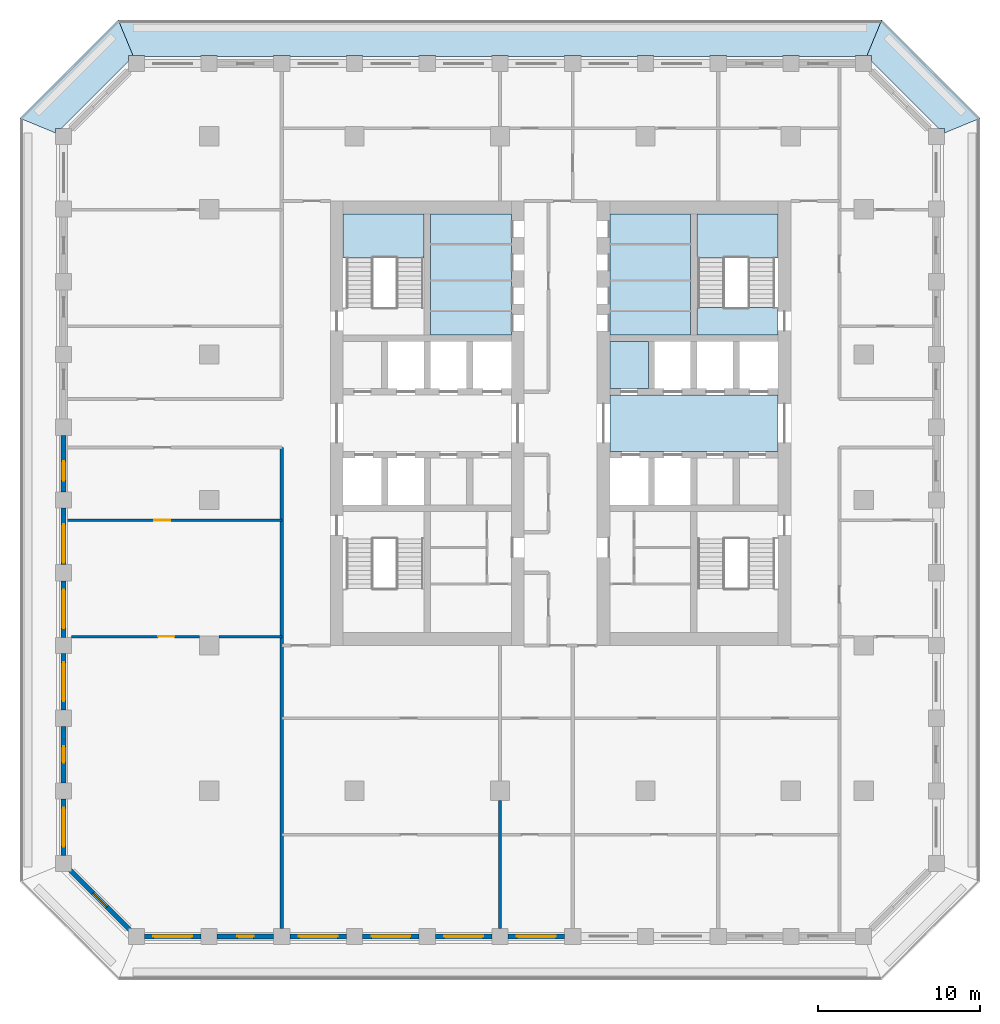
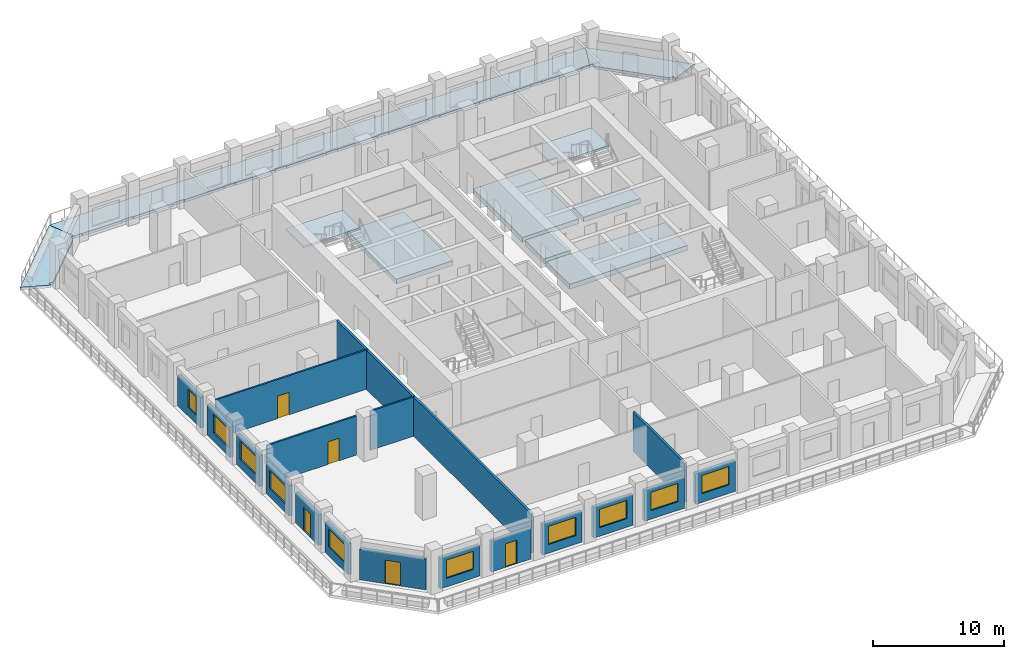
# One storey, part 2 of 16: 18 walls, 10 slabs, 10 windows, 5 doors, 15 openings, 2 elements without a shape of their own.
"""IFC4 building model written with IfcOpenShell, lengths in metres."""

from ifc_helpers import new_model, si_unit, direction, frame, frame_2d, origin, place, context, subcontext, project, spatial, polyline, rectangle, outline, extrude, material, layer, layer_set, type_object, element, fill, aggregate, save


model = new_model("IFC4")

# Units and contexts
model_context = context("Model", 3, precision=1e-05, world=origin(), true_north=direction((0.0, 1.0)))
body_context = subcontext(model_context, "Body", "Model", "MODEL_VIEW")
ifc_project = project(units=[si_unit("LENGTHUNIT", "METRE"), si_unit("AREAUNIT", "SQUARE_METRE"), si_unit("VOLUMEUNIT", "CUBIC_METRE"), si_unit("PLANEANGLEUNIT", "RADIAN"), si_unit("MASSUNIT", "GRAM", prefix="KILO")], contexts=[model_context])

# Site, building, storey
site_placement = place(None, origin())
site = spatial("IfcSite", under=ifc_project, at=site_placement, CompositionType="ELEMENT")
building_placement = place(site_placement, origin())
building = spatial("IfcBuilding", under=site, at=building_placement, Name="Corbel Stack Research Tower", CompositionType="ELEMENT")
storey_placement = place(building_placement, frame((0.0, 0.0, 160.89990234375)))
storey = spatial("IfcBuildingStorey", under=building, at=storey_placement, Name="L36", CompositionType="ELEMENT", Elevation=160.89990234375)

# Slabs
ifc_material_1 = material(Name="Concrete C45/55", Category="concrete")
ifc_layer_1 = layer(ifc_material_1, 0.25)
ifc_layer_set_1 = layer_set([ifc_layer_1], Name="Concrete C45/55")
slab_type_1 = type_object("IfcSlabType", Name="PT balcony slab 250 C45/55", PredefinedType="FLOOR", material=ifc_layer_set_1)
slab_1_placement = place(storey_placement, frame((0.0, 0.0, -0.25)))
element("IfcSlab", 1, at=slab_1_placement, inside=storey, type_object=slab_type_1, Name="Loggia slab L36 NE", PredefinedType="FLOOR", context=body_context, shape_type="SweptSolid", body=[
    extrude(outline(polyline([(22.70703125, 27.5), (23.0, 27.5), (23.0, 27.136474609375), (27.136474609375, 23.0), (27.5, 23.0), (27.5, 22.70703125), (29.699951171875, 23.618408203125), (23.618408203125, 29.699951171875), (22.70703125, 27.5)])), origin(), (0.0, 0.0, 1.0), 0.25),
])
slab_2_placement = place(storey_placement, frame((0.0, 0.0, -0.25)))
element("IfcSlab", 2, at=slab_2_placement, inside=storey, type_object=slab_type_1, Name="Loggia slab L36 N", PredefinedType="FLOOR", context=body_context, shape_type="SweptSolid", body=[
    extrude(outline(polyline([(-22.70703125, 27.5), (-22.0, 27.5), (-22.0, 27.449951171875), (-18.5, 27.449951171875), (-18.5, 27.5), (-17.5, 27.5), (-17.5, 27.449951171875), (-14.0, 27.449951171875), (-14.0, 27.5), (-13.0, 27.5), (-13.0, 27.449951171875), (-9.5, 27.449951171875), (-9.5, 27.5), (-8.5, 27.5), (-8.5, 27.449951171875), (-5.0, 27.449951171875), (-5.0, 27.5), (-4.0, 27.5), (-4.0, 27.449951171875), (-0.5, 27.449951171875), (-0.5, 27.5), (0.5, 27.5), (0.5, 27.449951171875), (4.0, 27.449951171875), (4.0, 27.5), (5.0, 27.5), (5.0, 27.449951171875), (8.5, 27.449951171875), (8.5, 27.5), (9.5, 27.5), (9.5, 27.449951171875), (13.0, 27.449951171875), (13.0, 27.5), (14.0, 27.5), (14.0, 27.449951171875), (17.5, 27.449951171875), (17.5, 27.5), (18.5, 27.5), (18.5, 27.449951171875), (22.0, 27.449951171875), (22.0, 27.5), (22.70703125, 27.5), (23.618408203125, 29.699951171875), (-23.618408203125, 29.699951171875), (-22.70703125, 27.5)])), origin(), (0.0, 0.0, 1.0), 0.25),
])
slab_3_placement = place(storey_placement, frame((0.0, 0.0, -0.25)))
element("IfcSlab", 3, at=slab_3_placement, inside=storey, type_object=slab_type_1, Name="Loggia slab L36 NW", PredefinedType="FLOOR", context=body_context, shape_type="SweptSolid", body=[
    extrude(outline(polyline([(-27.5, 22.70703125), (-27.5, 23.0), (-27.136474609375, 23.0), (-23.0, 27.136474609375), (-23.0, 27.5), (-22.70703125, 27.5), (-23.618408203125, 29.699951171875), (-29.699951171875, 23.618408203125), (-27.5, 22.70703125)])), origin(), (0.0, 0.0, 1.0), 0.25),
])
ifc_material_2 = material(Name="Concrete C45/55", Category="concrete")
ifc_layer_2 = layer(ifc_material_2, 0.449951171875)
ifc_layer_set_2 = layer_set([ifc_layer_2], Name="Concrete C45/55")
slab_type_2 = type_object("IfcSlabType", Name="PT-450", PredefinedType="FLOOR", material=ifc_layer_set_2)
slab_4_placement = place(storey_placement, frame((0.0, 0.0, -0.449951171875)))
element("IfcSlab", 4, at=slab_4_placement, inside=storey, type_object=slab_type_2, Name="West core floor L36", PredefinedType="FLOOR", context=body_context, shape_type="SweptSolid", body=[
    extrude(outline(polyline([(0.699951171875, 17.699951171875), (-4.300048828125, 17.699951171875), (-4.300048828125, 10.199951171875), (0.699951171875, 10.199951171875), (0.699951171875, 17.699951171875)])), origin(), (0.0, 0.0, 1.0), 0.449951171875),
])
slab_5_placement = place(storey_placement, frame((0.0, 0.0, -0.449951171875)))
element("IfcSlab", 5, at=slab_5_placement, inside=storey, type_object=slab_type_2, Name="East core floor L36", PredefinedType="FLOOR", context=body_context, shape_type="SweptSolid", body=[
    extrude(outline(polyline([(17.199951171875, 6.5), (6.800048828125, 6.5), (6.800048828125, 3.0), (17.199951171875, 3.0), (17.199951171875, 6.5)])), origin(), (0.0, 0.0, 1.0), 0.449951171875),
])
slab_6_placement = place(storey_placement, frame((0.0, 0.0, -0.449951171875)))
element("IfcSlab", 6, at=slab_6_placement, inside=storey, type_object=slab_type_2, Name="East core floor L36", PredefinedType="FLOOR", context=body_context, shape_type="SweptSolid", body=[
    extrude(outline(polyline([(6.800048828125, 6.89990234375), (9.175048828125, 6.89990234375), (9.175048828125, 9.800048828125), (6.800048828125, 9.800048828125), (6.800048828125, 6.89990234375)])), origin(), (0.0, 0.0, 1.0), 0.449951171875),
])
slab_7_placement = place(storey_placement, frame((0.0, 0.0, -0.449951171875)))
element("IfcSlab", 7, at=slab_7_placement, inside=storey, type_object=slab_type_2, Name="East core floor L36", PredefinedType="FLOOR", context=body_context, shape_type="SweptSolid", body=[
    extrude(outline(polyline([(6.800048828125, 17.699951171875), (6.800048828125, 10.199951171875), (11.800048828125, 10.199951171875), (11.800048828125, 17.699951171875), (6.800048828125, 17.699951171875)])), origin(), (0.0, 0.0, 1.0), 0.449951171875),
])
slab_8_placement = place(storey_placement, frame((0.0, 0.0, -0.449951171875)))
element("IfcSlab", 8, at=slab_8_placement, inside=storey, type_object=slab_type_2, Name="Stair floor landing ST-E2", PredefinedType="FLOOR", context=body_context, shape_type="SweptSolid", body=[
    extrude(outline(polyline([(12.199951171875, 10.199951171875), (17.199951171875, 10.199951171875), (17.199951171875, 11.89990234375), (12.199951171875, 11.89990234375), (12.199951171875, 10.199951171875)])), origin(), (0.0, 0.0, 1.0), 0.449951171875),
])

# Stair, slab
ifc_material_3 = material(Name="Concrete C40/50", Category="concrete")
stair_type = type_object("IfcStairType", Name="Exit stair 24 risers", PredefinedType="HALF_TURN_STAIR", material=ifc_material_3)
stair_1_placement = place(storey_placement, origin())
stair_1 = element("IfcStair", 9, at=stair_1_placement, inside=storey, type_object=stair_type, Name="L36 Exit stair ST-W2", PredefinedType="HALF_TURN_STAIR")
ifc_material_4 = material(Name="Concrete C40/50", Category="concrete")
ifc_layer_3 = layer(ifc_material_4, 0.199951171875)
ifc_layer_set_3 = layer_set([ifc_layer_3], Name="Concrete C40/50")
slab_type_3 = type_object("IfcSlabType", Name="Stair landing 200 C40/50", PredefinedType="LANDING", material=ifc_layer_set_3)
slab_9_placement = place(storey_placement, frame((0.0, 0.0, 1.85009765625)))
slab_9 = element("IfcSlab", 10, at=slab_9_placement, type_object=slab_type_3, Name="ST-W2 landing 1", PredefinedType="LANDING", context=body_context, shape_type="SweptSolid", body=[
    extrude(outline(polyline([(-9.699951171875, 14.97998046875), (-9.699951171875, 17.699951171875), (-4.699951171875, 17.699951171875), (-4.699951171875, 14.97998046875), (-9.699951171875, 14.97998046875)])), origin(), (0.0, 0.0, 1.0), 0.199951171875),
])
aggregate(stair_1, [slab_9])

stair_2_placement = place(storey_placement, origin())
stair_2 = element("IfcStair", 11, at=stair_2_placement, inside=storey, type_object=stair_type, Name="L36 Exit stair ST-E2", PredefinedType="HALF_TURN_STAIR")
slab_10_placement = place(storey_placement, frame((0.0, 0.0, 1.85009765625)))
slab_10 = element("IfcSlab", 12, at=slab_10_placement, type_object=slab_type_3, Name="ST-E2 landing 1", PredefinedType="LANDING", context=body_context, shape_type="SweptSolid", body=[
    extrude(outline(polyline([(12.199951171875, 14.97998046875), (12.199951171875, 17.699951171875), (17.199951171875, 17.699951171875), (17.199951171875, 14.97998046875), (12.199951171875, 14.97998046875)])), origin(), (0.0, 0.0, 1.0), 0.199951171875),
])
aggregate(stair_2, [slab_10])

# Walls
ifc_material_5 = material(Name="Fire-rated gypsum board partition on steel studs", Category="steel")
ifc_layer_4 = layer(ifc_material_5, 0.199951171875)
ifc_layer_set_4 = layer_set([ifc_layer_4], Name="Fire-rated gypsum board partition on steel studs")
wall_type_1 = type_object("IfcWallType", Name="Fire-rated partition 200 EI 60", PredefinedType="PARTITIONING", material=ifc_layer_set_4)
wall_1_placement = place(storey_placement, frame((-13.5, -26.5, 0.0), z_axis=(0.0, 0.0, 1.0), x_axis=(0.0, 1.0, 0.0)))
element("IfcWall", 13, at=wall_1_placement, inside=storey, type_object=wall_type_1, Name="Partition L36-001", PredefinedType="PARTITIONING", context=body_context, shape_type="SweptSolid", body=[
    extrude(rectangle(XDim=29.75, YDim=0.199951171875, at=frame_2d((14.875, 0.0))), origin(), (0.0, 0.0, 1.0), 3.650146484375),
])
wall_2_placement = place(storey_placement, frame((0.0, -26.5, 0.0), z_axis=(0.0, 0.0, 1.0), x_axis=(0.0, 1.0, 0.0)))
element("IfcWall", 14, at=wall_2_placement, inside=storey, type_object=wall_type_1, Name="Partition L36-003", PredefinedType="PARTITIONING", context=body_context, shape_type="SweptSolid", body=[
    extrude(rectangle(XDim=7.89990234375, YDim=0.199951171875, at=frame_2d((3.949951171875, 0.0))), origin(), (0.0, 0.0, 1.0), 3.650146484375),
])

# Wall, opening, door
ifc_material_6 = material(Name="Gypsum board partition on steel studs", Category="steel")
ifc_layer_5 = layer(ifc_material_6, 0.14990234375)
ifc_layer_set_5 = layer_set([ifc_layer_5], Name="Gypsum board partition on steel studs")
wall_type_2 = type_object("IfcWallType", Name="Partition 150", PredefinedType="PARTITIONING", material=ifc_layer_set_5)
wall_3_placement = place(storey_placement, frame((-18.60009765625, -8.449951171875, 0.0), z_axis=(0.0, 0.0, 1.0), x_axis=(-1.0, 0.0, 0.0)))
wall_3 = element("IfcWall", 15, at=wall_3_placement, inside=storey, type_object=wall_type_2, Name="Partition L36-021", PredefinedType="PARTITIONING", context=body_context, shape_type="SweptSolid", body=[
    extrude(rectangle(XDim=7.89990234375, YDim=0.14990234375, at=frame_2d((3.949951171875, 0.0))), origin(), (0.0, 0.0, 1.0), 3.650146484375),
])
opening_1_placement = place(wall_3_placement, frame((1.550048828125, 0.0, 0.0)))
opening_1 = element("IfcOpeningElement", 16, at=opening_1_placement, cuts=wall_3, Name="Opening B5V0-013", PredefinedType="OPENING", context=body_context, shape_type="SweptSolid", body=[
    extrude(rectangle(XDim=1.0, YDim=2.10009765625, at=frame_2d((0.5, 1.050048828125))), frame((0.0, 0.0849609375, 0.0), z_axis=(0.0, -1.0, 0.0), x_axis=(1.0, 0.0, 0.0)), (0.0, 0.0, 1.0), 0.169921875),
])
ifc_material_7 = material(Name="Painted timber door", Category="wood")
door_type_1 = type_object("IfcDoorType", Name="Single door 1000 x 2100", OperationType="NOTDEFINED", PredefinedType="DOOR", material=ifc_material_7)
door_1_placement = place(opening_1_placement, origin())
door_1 = element("IfcDoor", 17, at=door_1_placement, inside=storey, type_object=door_type_1, Name="Door B5V0-013", OperationType="SINGLE_SWING_LEFT", OverallHeight=2.10009765625, OverallWidth=1.0, PredefinedType="DOOR", context=body_context, shape_type="SweptSolid", body=[
    extrude(rectangle(XDim=1.0, YDim=2.10009765625, at=frame_2d((0.5, 1.050048828125))), frame((0.0, 0.02490234375, 0.0), z_axis=(0.0, -1.0, 0.0), x_axis=(1.0, 0.0, 0.0)), (0.0, 0.0, 1.0), 0.050048828125),
])
fill(opening_1, door_1)

# Wall
wall_4_placement = place(storey_placement, frame((-17.39990234375, -8.449951171875, 0.0), z_axis=(0.0, 0.0, 1.0), x_axis=(1.0, 0.0, 0.0)))
element("IfcWall", 18, at=wall_4_placement, inside=storey, type_object=wall_type_2, Name="Partition L36-022", PredefinedType="PARTITIONING", context=body_context, shape_type="SweptSolid", body=[
    extrude(rectangle(XDim=3.89990234375, YDim=0.14990234375, at=frame_2d((1.949951171875, 0.0))), origin(), (0.0, 0.0, 1.0), 3.650146484375),
])

# Wall, opening, door
wall_5_placement = place(storey_placement, frame((-13.5, -1.25, 0.0), z_axis=(0.0, 0.0, 1.0), x_axis=(-1.0, 0.0, 0.0)))
wall_5 = element("IfcWall", 19, at=wall_5_placement, inside=storey, type_object=wall_type_2, Name="Partition L36-027", PredefinedType="PARTITIONING", context=body_context, shape_type="SweptSolid", body=[
    extrude(rectangle(XDim=13.35009765625, YDim=0.14990234375, at=frame_2d((6.675048828125, 0.0))), origin(), (0.0, 0.0, 1.0), 3.650146484375),
])
opening_2_placement = place(wall_5_placement, frame((6.89990234375, 0.0, 0.0)))
opening_2 = element("IfcOpeningElement", 20, at=opening_2_placement, cuts=wall_5, Name="Opening B5V0-015", PredefinedType="OPENING", context=body_context, shape_type="SweptSolid", body=[
    extrude(rectangle(XDim=1.0, YDim=2.10009765625, at=frame_2d((0.5, 1.050048828125))), frame((0.0, 0.0849609375, 0.0), z_axis=(0.0, -1.0, 0.0), x_axis=(1.0, 0.0, 0.0)), (0.0, 0.0, 1.0), 0.169921875),
])
door_2_placement = place(opening_2_placement, origin())
door_2 = element("IfcDoor", 21, at=door_2_placement, inside=storey, type_object=door_type_1, Name="Door B5V0-015", OperationType="SINGLE_SWING_RIGHT", OverallHeight=2.10009765625, OverallWidth=1.0, PredefinedType="DOOR", context=body_context, shape_type="SweptSolid", body=[
    extrude(rectangle(XDim=1.0, YDim=2.10009765625, at=frame_2d((0.5, 1.050048828125))), frame((0.0, 0.02490234375, 0.0), z_axis=(0.0, -1.0, 0.0), x_axis=(1.0, 0.0, 0.0)), (0.0, 0.0, 1.0), 0.050048828125),
])
fill(opening_2, door_2)

# Wall, opening, window
ifc_material_8 = material(Name="Concrete C45/55", Category="concrete")
ifc_layer_6 = layer(ifc_material_8, 0.300048828125)
ifc_layer_set_6 = layer_set([ifc_layer_6], Name="Concrete C45/55")
wall_type_3 = type_object("IfcWallType", Name="Terracotta-faced concrete wall 300", PredefinedType="SOLIDWALL", material=ifc_layer_set_6)
wall_6_placement = place(storey_placement, frame((-18.5, -27.0, 0.0), z_axis=(0.0, 0.0, 1.0), x_axis=(-1.0, 0.0, 0.0)))
wall_6 = element("IfcWall", 22, at=wall_6_placement, inside=storey, type_object=wall_type_3, Name="Facade wall L36 S01", PredefinedType="SOLIDWALL", context=body_context, shape_type="SweptSolid", body=[
    extrude(rectangle(XDim=3.5, YDim=0.300048828125, at=frame_2d((1.75, 0.0))), origin(), (0.0, 0.0, 1.0), 2.85009765625),
])
opening_3_placement = place(wall_6_placement, frame((0.550048828125, 0.0, 0.800048828125)))
opening_3 = element("IfcOpeningElement", 23, at=opening_3_placement, cuts=wall_6, Name="Opening W1", PredefinedType="OPENING", context=body_context, shape_type="SweptSolid", body=[
    extrude(rectangle(XDim=2.39990234375, YDim=1.699951171875, at=frame_2d((1.199951171875, 0.85009765625))), frame((0.0, 0.159912109375, 0.0), z_axis=(0.0, -1.0, 0.0), x_axis=(1.0, 0.0, 0.0)), (0.0, 0.0, 1.0), 0.320068359375),
])
ifc_material_9 = material(Name="Aluminium frame, clear double glazing", Category="aluminium")
window_type_1 = type_object("IfcWindowType", Name="Window W1 2400 x 1700", PartitioningType="SINGLE_PANEL", PredefinedType="WINDOW", material=ifc_material_9)
window_1_placement = place(opening_3_placement, origin())
window_1 = element("IfcWindow", 24, at=window_1_placement, inside=storey, type_object=window_type_1, Name="Window W1 L36 S01", OverallHeight=1.699951171875, OverallWidth=2.39990234375, PartitioningType="SINGLE_PANEL", PredefinedType="WINDOW", context=body_context, shape_type="SweptSolid", body=[
    extrude(rectangle(XDim=2.39990234375, YDim=1.699951171875, at=frame_2d((1.199951171875, 0.85009765625))), frame((0.0, 0.030029296875, 0.0), z_axis=(0.0, -1.0, 0.0), x_axis=(1.0, 0.0, 0.0)), (0.0, 0.0, 1.0), 0.06005859375),
])
fill(opening_3, window_1)

# Wall, opening, door
wall_7_placement = place(storey_placement, frame((-14.0, -27.0, 0.0), z_axis=(0.0, 0.0, 1.0), x_axis=(-1.0, 0.0, 0.0)))
wall_7 = element("IfcWall", 25, at=wall_7_placement, inside=storey, type_object=wall_type_3, Name="Facade wall L36 S02", PredefinedType="SOLIDWALL", context=body_context, shape_type="SweptSolid", body=[
    extrude(rectangle(XDim=3.5, YDim=0.300048828125, at=frame_2d((1.75, 0.0))), origin(), (0.0, 0.0, 1.0), 2.85009765625),
])
opening_4_placement = place(wall_7_placement, frame((1.25, 0.0, 0.0)))
opening_4 = element("IfcOpeningElement", 26, at=opening_4_placement, cuts=wall_7, Name="Opening L36-B01", PredefinedType="OPENING", context=body_context, shape_type="SweptSolid", body=[
    extrude(rectangle(XDim=1.0, YDim=2.199951171875, at=frame_2d((0.5, 1.10009765625))), frame((0.0, 0.159912109375, 0.0), z_axis=(0.0, -1.0, 0.0), x_axis=(1.0, 0.0, 0.0)), (0.0, 0.0, 1.0), 0.320068359375),
])
ifc_material_10 = material(Name="Aluminium frame, clear double glazing", Category="aluminium")
door_type_2 = type_object("IfcDoorType", Name="Balcony door BD1 1000 x 2200", OperationType="NOTDEFINED", PredefinedType="DOOR", material=ifc_material_10)
door_3_placement = place(opening_4_placement, origin())
door_3 = element("IfcDoor", 27, at=door_3_placement, inside=storey, type_object=door_type_2, Name="Balcony door L36-B01", OperationType="SINGLE_SWING_RIGHT", OverallHeight=2.199951171875, OverallWidth=1.0, PredefinedType="DOOR", context=body_context, shape_type="SweptSolid", body=[
    extrude(rectangle(XDim=1.0, YDim=2.199951171875, at=frame_2d((0.5, 1.10009765625))), frame((0.0, 0.02490234375, 0.0), z_axis=(0.0, -1.0, 0.0), x_axis=(1.0, 0.0, 0.0)), (0.0, 0.0, 1.0), 0.050048828125),
])
fill(opening_4, door_3)

# Wall, opening, window
wall_8_placement = place(storey_placement, frame((-9.5, -27.0, 0.0), z_axis=(0.0, 0.0, 1.0), x_axis=(-1.0, 0.0, 0.0)))
wall_8 = element("IfcWall", 28, at=wall_8_placement, inside=storey, type_object=wall_type_3, Name="Facade wall L36 S03", PredefinedType="SOLIDWALL", context=body_context, shape_type="SweptSolid", body=[
    extrude(rectangle(XDim=3.5, YDim=0.300048828125, at=frame_2d((1.75, 0.0))), origin(), (0.0, 0.0, 1.0), 2.85009765625),
])
opening_5_placement = place(wall_8_placement, frame((0.550048828125, 0.0, 0.800048828125)))
opening_5 = element("IfcOpeningElement", 29, at=opening_5_placement, cuts=wall_8, Name="Opening W1", PredefinedType="OPENING", context=body_context, shape_type="SweptSolid", body=[
    extrude(rectangle(XDim=2.39990234375, YDim=1.699951171875, at=frame_2d((1.199951171875, 0.85009765625))), frame((0.0, 0.159912109375, 0.0), z_axis=(0.0, -1.0, 0.0), x_axis=(1.0, 0.0, 0.0)), (0.0, 0.0, 1.0), 0.320068359375),
])
window_2_placement = place(opening_5_placement, origin())
window_2 = element("IfcWindow", 30, at=window_2_placement, inside=storey, type_object=window_type_1, Name="Window W1 L36 S03", OverallHeight=1.699951171875, OverallWidth=2.39990234375, PartitioningType="SINGLE_PANEL", PredefinedType="WINDOW", context=body_context, shape_type="SweptSolid", body=[
    extrude(rectangle(XDim=2.39990234375, YDim=1.699951171875, at=frame_2d((1.199951171875, 0.85009765625))), frame((0.0, 0.030029296875, 0.0), z_axis=(0.0, -1.0, 0.0), x_axis=(1.0, 0.0, 0.0)), (0.0, 0.0, 1.0), 0.06005859375),
])
fill(opening_5, window_2)

wall_9_placement = place(storey_placement, frame((-5.0, -27.0, 0.0), z_axis=(0.0, 0.0, 1.0), x_axis=(-1.0, 0.0, 0.0)))
wall_9 = element("IfcWall", 31, at=wall_9_placement, inside=storey, type_object=wall_type_3, Name="Facade wall L36 S04", PredefinedType="SOLIDWALL", context=body_context, shape_type="SweptSolid", body=[
    extrude(rectangle(XDim=3.5, YDim=0.300048828125, at=frame_2d((1.75, 0.0))), origin(), (0.0, 0.0, 1.0), 2.85009765625),
])
opening_6_placement = place(wall_9_placement, frame((0.550048828125, 0.0, 0.800048828125)))
opening_6 = element("IfcOpeningElement", 32, at=opening_6_placement, cuts=wall_9, Name="Opening W1", PredefinedType="OPENING", context=body_context, shape_type="SweptSolid", body=[
    extrude(rectangle(XDim=2.39990234375, YDim=1.699951171875, at=frame_2d((1.199951171875, 0.85009765625))), frame((0.0, 0.159912109375, 0.0), z_axis=(0.0, -1.0, 0.0), x_axis=(1.0, 0.0, 0.0)), (0.0, 0.0, 1.0), 0.320068359375),
])
window_3_placement = place(opening_6_placement, origin())
window_3 = element("IfcWindow", 33, at=window_3_placement, inside=storey, type_object=window_type_1, Name="Window W1 L36 S04", OverallHeight=1.699951171875, OverallWidth=2.39990234375, PartitioningType="SINGLE_PANEL", PredefinedType="WINDOW", context=body_context, shape_type="SweptSolid", body=[
    extrude(rectangle(XDim=2.39990234375, YDim=1.699951171875, at=frame_2d((1.199951171875, 0.85009765625))), frame((0.0, 0.030029296875, 0.0), z_axis=(0.0, -1.0, 0.0), x_axis=(1.0, 0.0, 0.0)), (0.0, 0.0, 1.0), 0.06005859375),
])
fill(opening_6, window_3)

wall_10_placement = place(storey_placement, frame((-0.5, -27.0, 0.0), z_axis=(0.0, 0.0, 1.0), x_axis=(-1.0, 0.0, 0.0)))
wall_10 = element("IfcWall", 34, at=wall_10_placement, inside=storey, type_object=wall_type_3, Name="Facade wall L36 S05", PredefinedType="SOLIDWALL", context=body_context, shape_type="SweptSolid", body=[
    extrude(rectangle(XDim=3.5, YDim=0.300048828125, at=frame_2d((1.75, 0.0))), origin(), (0.0, 0.0, 1.0), 2.85009765625),
])
opening_7_placement = place(wall_10_placement, frame((0.550048828125, 0.0, 0.800048828125)))
opening_7 = element("IfcOpeningElement", 35, at=opening_7_placement, cuts=wall_10, Name="Opening W1", PredefinedType="OPENING", context=body_context, shape_type="SweptSolid", body=[
    extrude(rectangle(XDim=2.39990234375, YDim=1.699951171875, at=frame_2d((1.199951171875, 0.85009765625))), frame((0.0, 0.159912109375, 0.0), z_axis=(0.0, -1.0, 0.0), x_axis=(1.0, 0.0, 0.0)), (0.0, 0.0, 1.0), 0.320068359375),
])
window_4_placement = place(opening_7_placement, origin())
window_4 = element("IfcWindow", 36, at=window_4_placement, inside=storey, type_object=window_type_1, Name="Window W1 L36 S05", OverallHeight=1.699951171875, OverallWidth=2.39990234375, PartitioningType="SINGLE_PANEL", PredefinedType="WINDOW", context=body_context, shape_type="SweptSolid", body=[
    extrude(rectangle(XDim=2.39990234375, YDim=1.699951171875, at=frame_2d((1.199951171875, 0.85009765625))), frame((0.0, 0.030029296875, 0.0), z_axis=(0.0, -1.0, 0.0), x_axis=(1.0, 0.0, 0.0)), (0.0, 0.0, 1.0), 0.06005859375),
])
fill(opening_7, window_4)

wall_11_placement = place(storey_placement, frame((4.0, -27.0, 0.0), z_axis=(0.0, 0.0, 1.0), x_axis=(-1.0, 0.0, 0.0)))
wall_11 = element("IfcWall", 37, at=wall_11_placement, inside=storey, type_object=wall_type_3, Name="Facade wall L36 S06", PredefinedType="SOLIDWALL", context=body_context, shape_type="SweptSolid", body=[
    extrude(rectangle(XDim=3.5, YDim=0.300048828125, at=frame_2d((1.75, 0.0))), origin(), (0.0, 0.0, 1.0), 2.85009765625),
])
opening_8_placement = place(wall_11_placement, frame((0.550048828125, 0.0, 0.800048828125)))
opening_8 = element("IfcOpeningElement", 38, at=opening_8_placement, cuts=wall_11, Name="Opening W1", PredefinedType="OPENING", context=body_context, shape_type="SweptSolid", body=[
    extrude(rectangle(XDim=2.39990234375, YDim=1.699951171875, at=frame_2d((1.199951171875, 0.85009765625))), frame((0.0, 0.159912109375, 0.0), z_axis=(0.0, -1.0, 0.0), x_axis=(1.0, 0.0, 0.0)), (0.0, 0.0, 1.0), 0.320068359375),
])
window_5_placement = place(opening_8_placement, origin())
window_5 = element("IfcWindow", 39, at=window_5_placement, inside=storey, type_object=window_type_1, Name="Window W1 L36 S06", OverallHeight=1.699951171875, OverallWidth=2.39990234375, PartitioningType="SINGLE_PANEL", PredefinedType="WINDOW", context=body_context, shape_type="SweptSolid", body=[
    extrude(rectangle(XDim=2.39990234375, YDim=1.699951171875, at=frame_2d((1.199951171875, 0.85009765625))), frame((0.0, 0.030029296875, 0.0), z_axis=(0.0, -1.0, 0.0), x_axis=(1.0, 0.0, 0.0)), (0.0, 0.0, 1.0), 0.06005859375),
])
fill(opening_8, window_5)

wall_12_placement = place(storey_placement, frame((-27.0, 0.5, 0.0), z_axis=(0.0, 0.0, 1.0), x_axis=(0.0, 1.0, 0.0)))
wall_12 = element("IfcWall", 40, at=wall_12_placement, inside=storey, type_object=wall_type_3, Name="Facade wall L36 W05", PredefinedType="SOLIDWALL", context=body_context, shape_type="SweptSolid", body=[
    extrude(rectangle(XDim=3.5, YDim=0.300048828125, at=frame_2d((1.75, 0.0))), origin(), (0.0, 0.0, 1.0), 2.85009765625),
])
opening_9_placement = place(wall_12_placement, frame((0.699951171875, 0.0, 0.800048828125)))
opening_9 = element("IfcOpeningElement", 41, at=opening_9_placement, cuts=wall_12, Name="Opening W2", PredefinedType="OPENING", context=body_context, shape_type="SweptSolid", body=[
    extrude(rectangle(XDim=1.199951171875, YDim=1.699951171875, at=frame_2d((0.60009765625, 0.85009765625))), frame((0.0, 0.159912109375, 0.0), z_axis=(0.0, -1.0, 0.0), x_axis=(1.0, 0.0, 0.0)), (0.0, 0.0, 1.0), 0.320068359375),
])
ifc_material_11 = material(Name="Aluminium frame, clear double glazing", Category="aluminium")
window_type_2 = type_object("IfcWindowType", Name="Window W2 1200 x 1700", PartitioningType="SINGLE_PANEL", PredefinedType="WINDOW", material=ifc_material_11)
window_6_placement = place(opening_9_placement, origin())
window_6 = element("IfcWindow", 42, at=window_6_placement, inside=storey, type_object=window_type_2, Name="Window W2 L36 W05", OverallHeight=1.699951171875, OverallWidth=1.199951171875, PartitioningType="SINGLE_PANEL", PredefinedType="WINDOW", context=body_context, shape_type="SweptSolid", body=[
    extrude(rectangle(XDim=1.199951171875, YDim=1.699951171875, at=frame_2d((0.60009765625, 0.85009765625))), frame((0.0, 0.030029296875, 0.0), z_axis=(0.0, -1.0, 0.0), x_axis=(1.0, 0.0, 0.0)), (0.0, 0.0, 1.0), 0.06005859375),
])
fill(opening_9, window_6)

wall_13_placement = place(storey_placement, frame((-27.0, -4.0, 0.0), z_axis=(0.0, 0.0, 1.0), x_axis=(0.0, 1.0, 0.0)))
wall_13 = element("IfcWall", 43, at=wall_13_placement, inside=storey, type_object=wall_type_3, Name="Facade wall L36 W06", PredefinedType="SOLIDWALL", context=body_context, shape_type="SweptSolid", body=[
    extrude(rectangle(XDim=3.5, YDim=0.300048828125, at=frame_2d((1.75, 0.0))), origin(), (0.0, 0.0, 1.0), 2.85009765625),
])
opening_10_placement = place(wall_13_placement, frame((0.112548828125, 0.0, 0.800048828125)))
opening_10 = element("IfcOpeningElement", 44, at=opening_10_placement, cuts=wall_13, Name="Opening W1", PredefinedType="OPENING", context=body_context, shape_type="SweptSolid", body=[
    extrude(rectangle(XDim=2.39990234375, YDim=1.699951171875, at=frame_2d((1.199951171875, 0.85009765625))), frame((0.0, 0.159912109375, 0.0), z_axis=(0.0, -1.0, 0.0), x_axis=(1.0, 0.0, 0.0)), (0.0, 0.0, 1.0), 0.320068359375),
])
window_7_placement = place(opening_10_placement, origin())
window_7 = element("IfcWindow", 45, at=window_7_placement, inside=storey, type_object=window_type_1, Name="Window W1 L36 W06", OverallHeight=1.699951171875, OverallWidth=2.39990234375, PartitioningType="SINGLE_PANEL", PredefinedType="WINDOW", context=body_context, shape_type="SweptSolid", body=[
    extrude(rectangle(XDim=2.39990234375, YDim=1.699951171875, at=frame_2d((1.199951171875, 0.85009765625))), frame((0.0, 0.030029296875, 0.0), z_axis=(0.0, -1.0, 0.0), x_axis=(1.0, 0.0, 0.0)), (0.0, 0.0, 1.0), 0.06005859375),
])
fill(opening_10, window_7)

wall_14_placement = place(storey_placement, frame((-27.0, -8.5, 0.0), z_axis=(0.0, 0.0, 1.0), x_axis=(0.0, 1.0, 0.0)))
wall_14 = element("IfcWall", 46, at=wall_14_placement, inside=storey, type_object=wall_type_3, Name="Facade wall L36 W07", PredefinedType="SOLIDWALL", context=body_context, shape_type="SweptSolid", body=[
    extrude(rectangle(XDim=3.5, YDim=0.300048828125, at=frame_2d((1.75, 0.0))), origin(), (0.0, 0.0, 1.0), 2.85009765625),
])
opening_11_placement = place(wall_14_placement, frame((0.550048828125, 0.0, 0.800048828125)))
opening_11 = element("IfcOpeningElement", 47, at=opening_11_placement, cuts=wall_14, Name="Opening W1", PredefinedType="OPENING", context=body_context, shape_type="SweptSolid", body=[
    extrude(rectangle(XDim=2.39990234375, YDim=1.699951171875, at=frame_2d((1.199951171875, 0.85009765625))), frame((0.0, 0.159912109375, 0.0), z_axis=(0.0, -1.0, 0.0), x_axis=(1.0, 0.0, 0.0)), (0.0, 0.0, 1.0), 0.320068359375),
])
window_8_placement = place(opening_11_placement, origin())
window_8 = element("IfcWindow", 48, at=window_8_placement, inside=storey, type_object=window_type_1, Name="Window W1 L36 W07", OverallHeight=1.699951171875, OverallWidth=2.39990234375, PartitioningType="SINGLE_PANEL", PredefinedType="WINDOW", context=body_context, shape_type="SweptSolid", body=[
    extrude(rectangle(XDim=2.39990234375, YDim=1.699951171875, at=frame_2d((1.199951171875, 0.85009765625))), frame((0.0, 0.030029296875, 0.0), z_axis=(0.0, -1.0, 0.0), x_axis=(1.0, 0.0, 0.0)), (0.0, 0.0, 1.0), 0.06005859375),
])
fill(opening_11, window_8)

wall_15_placement = place(storey_placement, frame((-27.0, -13.0, 0.0), z_axis=(0.0, 0.0, 1.0), x_axis=(0.0, 1.0, 0.0)))
wall_15 = element("IfcWall", 49, at=wall_15_placement, inside=storey, type_object=wall_type_3, Name="Facade wall L36 W08", PredefinedType="SOLIDWALL", context=body_context, shape_type="SweptSolid", body=[
    extrude(rectangle(XDim=3.5, YDim=0.300048828125, at=frame_2d((1.75, 0.0))), origin(), (0.0, 0.0, 1.0), 2.85009765625),
])
opening_12_placement = place(wall_15_placement, frame((0.550048828125, 0.0, 0.800048828125)))
opening_12 = element("IfcOpeningElement", 50, at=opening_12_placement, cuts=wall_15, Name="Opening W1", PredefinedType="OPENING", context=body_context, shape_type="SweptSolid", body=[
    extrude(rectangle(XDim=2.39990234375, YDim=1.699951171875, at=frame_2d((1.199951171875, 0.85009765625))), frame((0.0, 0.159912109375, 0.0), z_axis=(0.0, -1.0, 0.0), x_axis=(1.0, 0.0, 0.0)), (0.0, 0.0, 1.0), 0.320068359375),
])
window_9_placement = place(opening_12_placement, origin())
window_9 = element("IfcWindow", 51, at=window_9_placement, inside=storey, type_object=window_type_1, Name="Window W1 L36 W08", OverallHeight=1.699951171875, OverallWidth=2.39990234375, PartitioningType="SINGLE_PANEL", PredefinedType="WINDOW", context=body_context, shape_type="SweptSolid", body=[
    extrude(rectangle(XDim=2.39990234375, YDim=1.699951171875, at=frame_2d((1.199951171875, 0.85009765625))), frame((0.0, 0.030029296875, 0.0), z_axis=(0.0, -1.0, 0.0), x_axis=(1.0, 0.0, 0.0)), (0.0, 0.0, 1.0), 0.06005859375),
])
fill(opening_12, window_9)

# Wall, opening, door
wall_16_placement = place(storey_placement, frame((-27.0, -17.5, 0.0), z_axis=(0.0, 0.0, 1.0), x_axis=(0.0, 1.0, 0.0)))
wall_16 = element("IfcWall", 52, at=wall_16_placement, inside=storey, type_object=wall_type_3, Name="Facade wall L36 W09", PredefinedType="SOLIDWALL", context=body_context, shape_type="SweptSolid", body=[
    extrude(rectangle(XDim=3.5, YDim=0.300048828125, at=frame_2d((1.75, 0.0))), origin(), (0.0, 0.0, 1.0), 2.85009765625),
])
opening_13_placement = place(wall_16_placement, frame((1.25, 0.0, 0.0)))
opening_13 = element("IfcOpeningElement", 53, at=opening_13_placement, cuts=wall_16, Name="Opening L36-B11", PredefinedType="OPENING", context=body_context, shape_type="SweptSolid", body=[
    extrude(rectangle(XDim=1.0, YDim=2.199951171875, at=frame_2d((0.5, 1.10009765625))), frame((0.0, 0.159912109375, 0.0), z_axis=(0.0, -1.0, 0.0), x_axis=(1.0, 0.0, 0.0)), (0.0, 0.0, 1.0), 0.320068359375),
])
door_4_placement = place(opening_13_placement, origin())
door_4 = element("IfcDoor", 54, at=door_4_placement, inside=storey, type_object=door_type_2, Name="Balcony door L36-B11", OperationType="SINGLE_SWING_LEFT", OverallHeight=2.199951171875, OverallWidth=1.0, PredefinedType="DOOR", context=body_context, shape_type="SweptSolid", body=[
    extrude(rectangle(XDim=1.0, YDim=2.199951171875, at=frame_2d((0.5, 1.10009765625))), frame((0.0, 0.02490234375, 0.0), z_axis=(0.0, -1.0, 0.0), x_axis=(1.0, 0.0, 0.0)), (0.0, 0.0, 1.0), 0.050048828125),
])
fill(opening_13, door_4)

# Wall, opening, window
wall_17_placement = place(storey_placement, frame((-27.0, -22.0, 0.0), z_axis=(0.0, 0.0, 1.0), x_axis=(0.0, 1.0, 0.0)))
wall_17 = element("IfcWall", 55, at=wall_17_placement, inside=storey, type_object=wall_type_3, Name="Facade wall L36 W10", PredefinedType="SOLIDWALL", context=body_context, shape_type="SweptSolid", body=[
    extrude(rectangle(XDim=3.5, YDim=0.300048828125, at=frame_2d((1.75, 0.0))), origin(), (0.0, 0.0, 1.0), 2.85009765625),
])
opening_14_placement = place(wall_17_placement, frame((0.550048828125, 0.0, 0.800048828125)))
opening_14 = element("IfcOpeningElement", 56, at=opening_14_placement, cuts=wall_17, Name="Opening W1", PredefinedType="OPENING", context=body_context, shape_type="SweptSolid", body=[
    extrude(rectangle(XDim=2.39990234375, YDim=1.699951171875, at=frame_2d((1.199951171875, 0.85009765625))), frame((0.0, 0.159912109375, 0.0), z_axis=(0.0, -1.0, 0.0), x_axis=(1.0, 0.0, 0.0)), (0.0, 0.0, 1.0), 0.320068359375),
])
window_10_placement = place(opening_14_placement, origin())
window_10 = element("IfcWindow", 57, at=window_10_placement, inside=storey, type_object=window_type_1, Name="Window W1 L36 W10", OverallHeight=1.699951171875, OverallWidth=2.39990234375, PartitioningType="SINGLE_PANEL", PredefinedType="WINDOW", context=body_context, shape_type="SweptSolid", body=[
    extrude(rectangle(XDim=2.39990234375, YDim=1.699951171875, at=frame_2d((1.199951171875, 0.85009765625))), frame((0.0, 0.030029296875, 0.0), z_axis=(0.0, -1.0, 0.0), x_axis=(1.0, 0.0, 0.0)), (0.0, 0.0, 1.0), 0.06005859375),
])
fill(opening_14, window_10)

# Wall, opening, door
wall_18_placement = place(storey_placement, frame((-22.893798828125, -26.606201171875, 0.0), z_axis=(0.0, 0.0, 1.0), x_axis=(-0.707106781187, 0.707106781187, 0.0)))
wall_18 = element("IfcWall", 58, at=wall_18_placement, inside=storey, type_object=wall_type_3, Name="Facade wall L36 SW01", PredefinedType="SOLIDWALL", context=body_context, shape_type="SweptSolid", body=[
    extrude(rectangle(XDim=5.250244140625, YDim=0.300048828125, at=frame_2d((2.625, 0.0))), origin(), (0.0, 0.0, 1.0), 2.85009765625),
])
opening_15_placement = place(wall_18_placement, frame((2.02490234375, 0.0, 0.0)))
opening_15 = element("IfcOpeningElement", 59, at=opening_15_placement, cuts=wall_18, Name="Opening L36-B12", PredefinedType="OPENING", context=body_context, shape_type="SweptSolid", body=[
    extrude(rectangle(XDim=1.199951171875, YDim=2.199951171875, at=frame_2d((0.60009765625, 1.10009765625))), frame((0.0, 0.159912109375, 0.0), z_axis=(0.0, -1.0, 0.0), x_axis=(1.0, 0.0, 0.0)), (0.0, 0.0, 1.0), 0.320068359375),
])
ifc_material_12 = material(Name="Aluminium frame, clear double glazing", Category="aluminium")
door_type_3 = type_object("IfcDoorType", Name="Balcony door BD2 1200 x 2200", OperationType="NOTDEFINED", PredefinedType="DOOR", material=ifc_material_12)
door_5_placement = place(opening_15_placement, origin())
door_5 = element("IfcDoor", 60, at=door_5_placement, inside=storey, type_object=door_type_3, Name="Balcony door L36-B12", OperationType="SINGLE_SWING_LEFT", OverallHeight=2.199951171875, OverallWidth=1.199951171875, PredefinedType="DOOR", context=body_context, shape_type="SweptSolid", body=[
    extrude(rectangle(XDim=1.199951171875, YDim=2.199951171875, at=frame_2d((0.60009765625, 1.10009765625))), frame((0.0, 0.02490234375, 0.0), z_axis=(0.0, -1.0, 0.0), x_axis=(1.0, 0.0, 0.0)), (0.0, 0.0, 1.0), 0.050048828125),
])
fill(opening_15, door_5)

save(model, "model.ifc")
